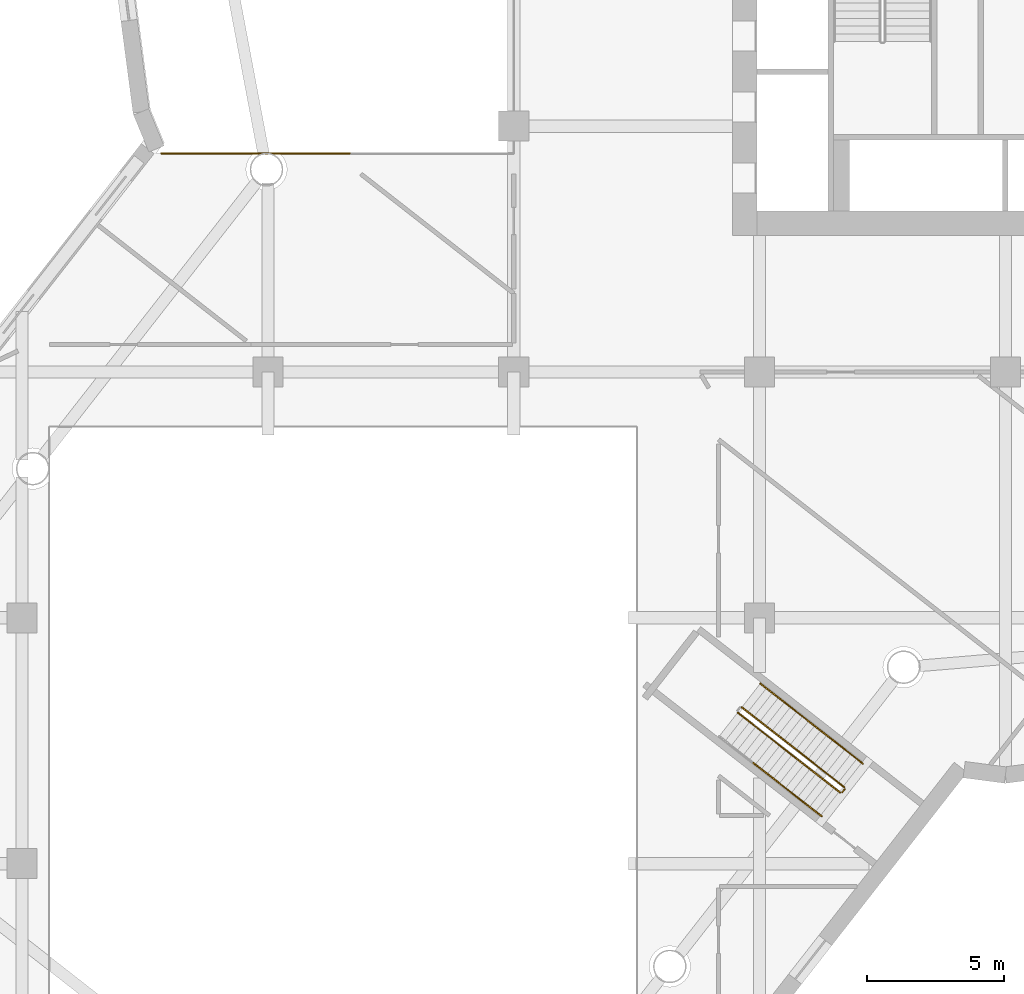
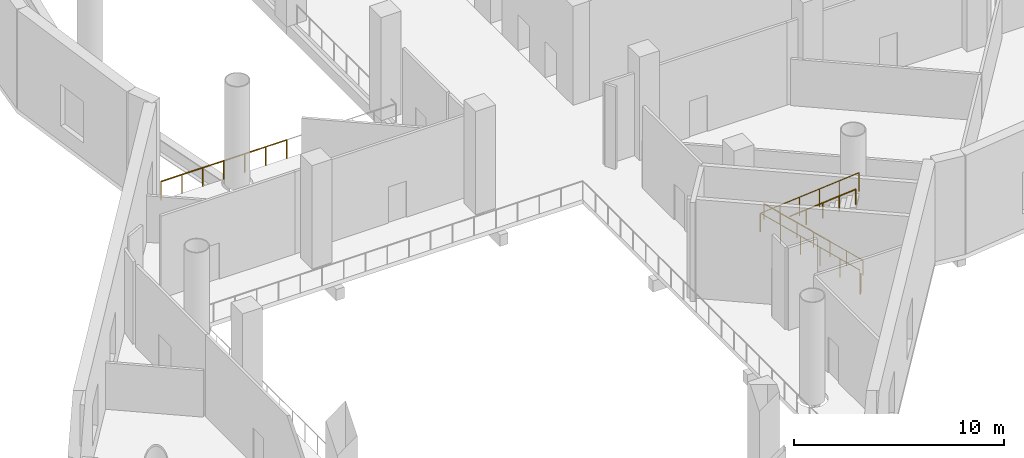
# One storey, part 20 of 24: 9 railings.
"""IFC4 building model written with IfcOpenShell, lengths in metres."""

import ifcopenshell
import ifcopenshell.guid

model = None  # the IFC model being written
_history = None  # IfcOwnerHistory: only IFC2X3 demands one
_inside = {}  # id of a spatial element -> (the spatial element, [elements in it])
_under = {}  # id of a project, library or spatial element -> (it, [spatial elements below it])
_declared = {}  # id of a project -> (the project, [libraries it declares])
_typed = {}  # id of a type object -> (the type object, [elements of that type])
_made_of = {}  # id of a material, layer set ... -> (it, [elements and type objects made of it])


def new_model(schema):
    """Start an empty IFC model of exactly this schema.

    Asked for "IFC4X3", IfcOpenShell would pick the latest addendum, in which some entities
    have other attributes; the version numbers below select the first issue.
    IFC2X3 requires an IfcOwnerHistory on every rooted entity: one is made here for all.
    """
    global model, _history
    if schema == "IFC4X3":
        model = ifcopenshell.file(schema_version=(4, 3, 0, 0))
    else:
        model = ifcopenshell.file(schema=schema)
    _inside.clear()
    _under.clear()
    _declared.clear()
    _typed.clear()
    _made_of.clear()
    _history = None
    if model.schema == "IFC2X3":
        org = make("IfcOrganization", Name="unknown")
        user = make(
            "IfcPersonAndOrganization",
            ThePerson=make("IfcPerson", FamilyName="unknown"),
            TheOrganization=org,
        )
        app = make(
            "IfcApplication",
            ApplicationDeveloper=org,
            Version="unknown",
            ApplicationFullName="unknown",
            ApplicationIdentifier="unknown",
        )
        _history = make(
            "IfcOwnerHistory",
            OwningUser=user,
            OwningApplication=app,
            ChangeAction="ADDED",
            CreationDate=0,
        )
    return model


def make(cls, **values):
    """One entity of the class cls with the attributes given. An attribute that is None is left unset."""
    return model.create_entity(
        cls, **{name: value for name, value in values.items() if value is not None}
    )


def rooted(cls, **values):
    """An entity with a GlobalId (a new one), such as an element, a storey or a relation."""
    return make(cls, GlobalId=ifcopenshell.guid.new(), OwnerHistory=_history, **values)


def si_unit(unit_type, name, prefix=None):
    """IfcSIUnit, for example si_unit("LENGTHUNIT", "METRE", prefix="MILLI")."""
    return make("IfcSIUnit", UnitType=unit_type, Prefix=prefix, Name=name)


def assignment(units):
    """IfcUnitAssignment: the units of a project."""
    return None if units is None else make("IfcUnitAssignment", Units=units)


def point(xyz):
    """IfcCartesianPoint."""
    return None if xyz is None else make("IfcCartesianPoint", Coordinates=xyz)


def direction(xyz):
    """IfcDirection."""
    return None if xyz is None else make("IfcDirection", DirectionRatios=xyz)


def frame(location, z_axis=None, x_axis=None):
    """IfcAxis2Placement3D, a coordinate frame: its origin and axes. An axis left out is left unset."""
    return make(
        "IfcAxis2Placement3D",
        Location=point(location),
        Axis=direction(z_axis),
        RefDirection=direction(x_axis),
    )


def frame_2d(location, x_axis=None):
    """IfcAxis2Placement2D, a coordinate frame in the plane: its origin and x axis."""
    return make(
        "IfcAxis2Placement2D", Location=point(location), RefDirection=direction(x_axis)
    )


def origin():
    """The frame at (0, 0, 0) with its axes left unset."""
    return frame((0.0, 0.0, 0.0))


def origin_2d():
    """The frame at (0, 0) in the plane with its x axis left unset."""
    return frame_2d((0.0, 0.0))


def place(relative_to, where):
    """IfcLocalPlacement: puts the frame where relative to a parent placement (None: the world)."""
    return make(
        "IfcLocalPlacement", PlacementRelTo=relative_to, RelativePlacement=where
    )


def context(
    kind, dimensions, precision=None, world=None, true_north=None, identifier=None
):
    """IfcGeometricRepresentationContext, for example the 3D "Model" context."""
    return make(
        "IfcGeometricRepresentationContext",
        ContextIdentifier=identifier,
        ContextType=kind,
        CoordinateSpaceDimension=dimensions,
        Precision=precision,
        WorldCoordinateSystem=world,
        TrueNorth=true_north,
    )


def subcontext(parent, identifier, kind, view, scale=None):
    """IfcGeometricRepresentationSubContext, for example "Body" below "Model"."""
    return make(
        "IfcGeometricRepresentationSubContext",
        ContextIdentifier=identifier,
        ContextType=kind,
        ParentContext=parent,
        TargetScale=scale,
        TargetView=view,
    )


def project(units=None, contexts=None):
    """IfcProject with its units and contexts."""
    return rooted(
        "IfcProject",
        Name="project",
        RepresentationContexts=contexts,
        UnitsInContext=assignment(units),
    )


def spatial(cls, under=None, at=None, **own):
    """A site, building, storey or space (cls), placed at a placement, below another one or the project."""
    s = rooted(cls, ObjectPlacement=at, **own)
    if under is not None:
        _under.setdefault(under.id(), (under, []))[1].append(s)
    return s


def profile(cls, at=None, kind="AREA", **sizes):
    """A parametric profile (cls). Its sizes go by their IFC names, for example OverallWidth=200.0."""
    return make(cls, ProfileType=kind, Position=at, **sizes)


def circle(**sizes):
    """IfcCircleProfileDef."""
    return profile("IfcCircleProfileDef", **sizes)


def extrude(swept, where, along, depth):
    """IfcExtrudedAreaSolid: the profile swept, set in the frame where, extruded along a direction by depth."""
    return make(
        "IfcExtrudedAreaSolid",
        SweptArea=swept,
        Position=where,
        ExtrudedDirection=direction(along),
        Depth=depth,
    )


def shape(context_of_items, identifier, shape_type, items):
    """IfcShapeRepresentation: the items that make up one representation, for example the "Body"."""
    return make(
        "IfcShapeRepresentation",
        ContextOfItems=context_of_items,
        RepresentationIdentifier=identifier,
        RepresentationType=shape_type,
        Items=items,
    )


def material(Name=None, Category=None):
    """IfcMaterial."""
    return make("IfcMaterial", Name=Name, Category=Category)


def made_of(thing, what):
    """Note that an element or type object is made of a material, layer set ...; save() writes the relation."""
    if what is not None:
        _made_of.setdefault(what.id(), (what, []))[1].append(thing)
    return thing


def type_object(cls, material=None, **own):
    """A type object (cls), such as IfcWallType, which elements share."""
    return made_of(rooted(cls, **own), material)


def element(
    cls,
    number,
    at=None,
    inside=None,
    cuts=None,
    type_object=None,
    material=None,
    context=None,
    identifier="Body",
    shape_type=None,
    held_by="IfcProductDefinitionShape",
    body=None,
    shapes=None,
    **own,
):
    """One element of the class cls, such as IfcWall. Its Tag is "e" and its number.

    at: its placement. inside: the storey or other place that contains it. cuts: it is an
    opening in that element (IfcRelVoidsElement). A single representation is given by context,
    identifier, shape_type and body (its items); several are given by shapes. held_by: the class
    of the entity that holds the representations. save() writes the other relations.
    """
    e = rooted(cls, Tag="e%d" % number, ObjectPlacement=at, **own)
    if body is not None:
        shapes = [shape(context, identifier, shape_type, body)]
    if shapes is not None:
        e.Representation = make(held_by, Representations=shapes)
    if inside is not None:
        _inside.setdefault(inside.id(), (inside, []))[1].append(e)
    if cuts is not None:
        rooted(
            "IfcRelVoidsElement", RelatingBuildingElement=cuts, RelatedOpeningElement=e
        )
    if type_object is not None:
        _typed.setdefault(type_object.id(), (type_object, []))[1].append(e)
    return made_of(e, material)


def aggregate(whole, parts):
    """IfcRelAggregates: a whole, such as a stair, and the parts it consists of."""
    return rooted("IfcRelAggregates", RelatingObject=whole, RelatedObjects=parts)


def save(model, path):
    """Write the relations noted so far, then the file.

    IfcRelAggregates (storeys below a building ...), IfcRelContainedInSpatialStructure (elements
    in a storey), IfcRelDefinesByType, IfcRelAssociatesMaterial and IfcRelDeclares: one each for
    every whole, place, type object, material and project.
    """
    for whole, parts in _under.values():
        aggregate(whole, parts)
    for where, things in _inside.values():
        rooted(
            "IfcRelContainedInSpatialStructure",
            RelatedElements=things,
            RelatingStructure=where,
        )
    for kind, things in _typed.values():
        rooted("IfcRelDefinesByType", RelatedObjects=things, RelatingType=kind)
    for what, things in _made_of.values():
        rooted("IfcRelAssociatesMaterial", RelatedObjects=things, RelatingMaterial=what)
    for by, libraries in _declared.values():
        rooted("IfcRelDeclares", RelatingContext=by, RelatedDefinitions=libraries)
    model.write(path)


model = new_model("IFC4")

# Units and contexts
model_context = context("Model", 3, precision=1e-05, world=origin(), true_north=direction((0.0, 1.0)))
body_context = subcontext(model_context, "Body", "Model", "MODEL_VIEW")
ifc_project = project(units=[si_unit("LENGTHUNIT", "METRE"), si_unit("AREAUNIT", "SQUARE_METRE"), si_unit("VOLUMEUNIT", "CUBIC_METRE"), si_unit("PLANEANGLEUNIT", "RADIAN"), si_unit("MASSUNIT", "GRAM", prefix="KILO")], contexts=[model_context])

# Site, building, storey
site_placement = place(None, origin())
site = spatial("IfcSite", under=ifc_project, at=site_placement, CompositionType="ELEMENT")
building_placement = place(site_placement, origin())
building = spatial("IfcBuilding", under=site, at=building_placement, Name="Tarsis Ring Headquarters", CompositionType="ELEMENT")
storey_placement = place(building_placement, frame((0.0, 0.0, 8.0)))
storey = spatial("IfcBuildingStorey", under=building, at=storey_placement, Name="L01", CompositionType="ELEMENT", Elevation=8.0)

# Railings
ifc_material = material(Name="Stainless steel", Category="steel")
railing_type_1 = type_object("IfcRailingType", Name="PO-RL-G", PredefinedType="GUARDRAIL", material=ifc_material)
railing_1_placement = place(storey_placement, frame((-5.8955078125, -33.202392578125, 0.166748046875)))
element("IfcRailing", 1, at=railing_1_placement, inside=storey, type_object=railing_type_1, Name="L01 PS2 stair guard 1", PredefinedType="GUARDRAIL", context=body_context, shape_type="SweptSolid", body=[
    extrude(circle(Radius=0.02392578125, at=origin_2d()), frame((0.0, 0.0, 1.076171875), z_axis=(-0.677363890501, 0.528748428287, 0.511471660437), x_axis=(-0.615324495023, -0.788273915479, 0.0)), (0.0, 0.0, 1.0), 5.539306640625),
    extrude(circle(Radius=0.02099609375, at=origin_2d()), origin(), (0.0, 0.0, 1.0), 1.052001953125),
    extrude(circle(Radius=0.02099609375, at=origin_2d()), frame((-0.75048828125, 0.585693359375, 0.566650390625)), (0.0, 0.0, 1.0), 1.052001953125),
    extrude(circle(Radius=0.02099609375, at=origin_2d()), frame((-1.5009765625, 1.171630859375, 1.13330078125)), (0.0, 0.0, 1.0), 1.052001953125),
    extrude(circle(Radius=0.02099609375, at=origin_2d()), frame((-2.251220703125, 1.75732421875, 1.699951171875)), (0.0, 0.0, 1.0), 1.052001953125),
    extrude(circle(Radius=0.02099609375, at=origin_2d()), frame((-3.001708984375, 2.34326171875, 2.2666015625)), (0.0, 0.0, 1.0), 1.052001953125),
    extrude(circle(Radius=0.02099609375, at=origin_2d()), frame((-3.752197265625, 2.928955078125, 2.833251953125)), (0.0, 0.0, 1.0), 1.052001953125),
])
railing_2_placement = place(storey_placement, frame((-9.801513671875, -30.470458984375, 3.166748046875)))
element("IfcRailing", 2, at=railing_2_placement, inside=storey, type_object=railing_type_1, Name="L01 PS2 stair guard 3", PredefinedType="GUARDRAIL", context=body_context, shape_type="SweptSolid", body=[
    extrude(circle(Radius=0.02392578125, at=origin_2d()), frame((0.0, 0.0, 1.076171875), z_axis=(0.677363890501, -0.528748428287, 0.511471660437), x_axis=(0.615324495023, 0.788273915479, 0.0)), (0.0, 0.0, 1.0), 5.539306640625),
    extrude(circle(Radius=0.02099609375, at=origin_2d()), origin(), (0.0, 0.0, 1.0), 1.052001953125),
    extrude(circle(Radius=0.02099609375, at=origin_2d()), frame((0.75048828125, -0.585693359375, 0.566650390625)), (0.0, 0.0, 1.0), 1.052001953125),
    extrude(circle(Radius=0.02099609375, at=origin_2d()), frame((1.5009765625, -1.171630859375, 1.13330078125)), (0.0, 0.0, 1.0), 1.052001953125),
    extrude(circle(Radius=0.02099609375, at=origin_2d()), frame((2.251220703125, -1.75732421875, 1.699951171875)), (0.0, 0.0, 1.0), 1.052001953125),
    extrude(circle(Radius=0.02099609375, at=origin_2d()), frame((3.001708984375, -2.34326171875, 2.2666015625)), (0.0, 0.0, 1.0), 1.052001953125),
    extrude(circle(Radius=0.02099609375, at=origin_2d()), frame((3.752197265625, -2.928955078125, 2.833251953125)), (0.0, 0.0, 1.0), 1.052001953125),
])
railing_3_placement = place(storey_placement, frame((-5.886962890625, -33.272705078125, 0.0)))
element("IfcRailing", 3, at=railing_3_placement, inside=storey, type_object=railing_type_1, Name="L01 PS2 stair guard 4", PredefinedType="GUARDRAIL", context=body_context, shape_type="SweptSolid", body=[
    extrude(circle(Radius=0.02392578125, at=origin_2d()), frame((0.0, 0.0, 1.076171875), z_axis=(-0.615517636689, -0.788123111528, 0.0), x_axis=(0.788123111528, -0.615517636689, 0.0)), (0.0, 0.0, 1.0), 0.14990234375),
    extrude(circle(Radius=0.02099609375, at=origin_2d()), origin(), (0.0, 0.0, 1.0), 1.052001953125),
    extrude(circle(Radius=0.02099609375, at=origin_2d()), frame((-0.09228515625, -0.1181640625, 0.0)), (0.0, 0.0, 1.0), 1.052001953125),
])
railing_4_placement = place(storey_placement, frame((-30.908935546875, -10.0, 0.0)))
element("IfcRailing", 4, at=railing_4_placement, inside=storey, type_object=railing_type_1, Name="L01 void guard 4", PredefinedType="GUARDRAIL", context=body_context, shape_type="SweptSolid", body=[
    extrude(circle(Radius=0.02392578125, at=origin_2d()), frame((0.0, 0.0, 1.076171875), z_axis=(1.0, 0.0, 0.0), x_axis=(0.0, 1.0, 0.0)), (0.0, 0.0, 1.0), 6.908935546875),
    extrude(circle(Radius=0.02099609375, at=origin_2d()), origin(), (0.0, 0.0, 1.0), 1.052001953125),
    extrude(circle(Radius=0.02099609375, at=origin_2d()), frame((1.1513671875, 0.0, 0.0)), (0.0, 0.0, 1.0), 1.052001953125),
    extrude(circle(Radius=0.02099609375, at=origin_2d()), frame((2.302978515625, 0.0, 0.0)), (0.0, 0.0, 1.0), 1.052001953125),
    extrude(circle(Radius=0.02099609375, at=origin_2d()), frame((3.45458984375, 0.0, 0.0)), (0.0, 0.0, 1.0), 1.052001953125),
    extrude(circle(Radius=0.02099609375, at=origin_2d()), frame((4.60595703125, 0.0, 0.0)), (0.0, 0.0, 1.0), 1.052001953125),
    extrude(circle(Radius=0.02099609375, at=origin_2d()), frame((5.75732421875, 0.0, 0.0)), (0.0, 0.0, 1.0), 1.052001953125),
    extrude(circle(Radius=0.02099609375, at=origin_2d()), frame((6.908935546875, 0.0, 0.0)), (0.0, 0.0, 1.0), 1.052001953125),
])
railing_type_2 = type_object("IfcRailingType", Name="PO-RL-H", PredefinedType="HANDRAIL", material=ifc_material)
railing_5_placement = place(storey_placement, frame((-5.21875, -32.33544921875, 0.166748046875)))
element("IfcRailing", 5, at=railing_5_placement, inside=storey, type_object=railing_type_2, Name="L01 PS2 stair handrail 1", PredefinedType="HANDRAIL", context=body_context, shape_type="SweptSolid", body=[
    extrude(circle(Radius=0.02392578125, at=origin_2d()), frame((0.0, 0.0, 0.8759765625), z_axis=(-0.677379159691, 0.528760347376, 0.511439115691), x_axis=(-0.615324495023, -0.788273915479, 0.0)), (0.0, 0.0, 1.0), 1.846435546875),
    extrude(circle(Radius=0.02099609375, at=origin_2d()), origin(), (0.0, 0.0, 1.0), 0.851806640625),
    extrude(circle(Radius=0.02099609375, at=origin_2d()), frame((-0.62548828125, 0.48828125, 0.47216796875)), (0.0, 0.0, 1.0), 0.851806640625),
    extrude(circle(Radius=0.02099609375, at=origin_2d()), frame((-1.250732421875, 0.976318359375, 0.9443359375)), (0.0, 0.0, 1.0), 0.851806640625),
])
railing_6_placement = place(storey_placement, frame((-6.469482421875, -31.359130859375, 1.111083984375)))
element("IfcRailing", 6, at=railing_6_placement, inside=storey, type_object=railing_type_2, Name="L01 PS2 stair handrail 1 bay 2", PredefinedType="HANDRAIL", context=body_context, shape_type="SweptSolid", body=[
    extrude(circle(Radius=0.02392578125, at=origin_2d()), frame((0.0, 0.0, 0.8759765625), z_axis=(-0.67733335127, 0.528724589445, 0.511536743327), x_axis=(-0.615324495023, -0.788273915479, 0.0)), (0.0, 0.0, 1.0), 1.846435546875),
    extrude(circle(Radius=0.02099609375, at=origin_2d()), frame((-0.62548828125, 0.48828125, 0.47216796875)), (0.0, 0.0, 1.0), 0.851806640625),
    extrude(circle(Radius=0.02099609375, at=origin_2d()), frame((-1.250732421875, 0.976318359375, 0.944580078125)), (0.0, 0.0, 1.0), 0.851806640625),
])
railing_7_placement = place(storey_placement, frame((-7.72021484375, -30.3828125, 2.0556640625)))
element("IfcRailing", 7, at=railing_7_placement, inside=storey, type_object=railing_type_2, Name="L01 PS2 stair handrail 1 bay 3", PredefinedType="HANDRAIL", context=body_context, shape_type="SweptSolid", body=[
    extrude(circle(Radius=0.02392578125, at=origin_2d()), frame((0.0, 0.0, 0.8759765625), z_axis=(-0.677379159691, 0.528760347376, 0.511439115691), x_axis=(-0.615324495023, -0.788273915479, 0.0)), (0.0, 0.0, 1.0), 1.846435546875),
    extrude(circle(Radius=0.02099609375, at=origin_2d()), frame((-0.62548828125, 0.48828125, 0.47216796875)), (0.0, 0.0, 1.0), 0.851806640625),
    extrude(circle(Radius=0.02099609375, at=origin_2d()), frame((-1.250732421875, 0.976318359375, 0.9443359375)), (0.0, 0.0, 1.0), 0.851806640625),
])
railing_8_placement = place(storey_placement, frame((-9.227783203125, -32.31396484375, 4.111083984375)))
element("IfcRailing", 8, at=railing_8_placement, inside=storey, type_object=railing_type_2, Name="L01 PS2 stair handrail 2 bay 2", PredefinedType="HANDRAIL", context=body_context, shape_type="SweptSolid", body=[
    extrude(circle(Radius=0.02392578125, at=origin_2d()), frame((0.0, 0.0, 0.8759765625), z_axis=(0.67733335127, -0.528724589445, 0.511536743327), x_axis=(0.615324495023, 0.788273915479, 0.0)), (0.0, 0.0, 1.0), 1.846435546875),
    extrude(circle(Radius=0.02099609375, at=origin_2d()), frame((0.62548828125, -0.48828125, 0.47216796875)), (0.0, 0.0, 1.0), 0.851806640625),
    extrude(circle(Radius=0.02099609375, at=origin_2d()), frame((1.250732421875, -0.976318359375, 0.944580078125)), (0.0, 0.0, 1.0), 0.851806640625),
])
railing_9_placement = place(storey_placement, frame((-7.97705078125, -33.290283203125, 5.0556640625)))
element("IfcRailing", 9, at=railing_9_placement, inside=storey, type_object=railing_type_2, Name="L01 PS2 stair handrail 2 bay 3", PredefinedType="HANDRAIL", context=body_context, shape_type="SweptSolid", body=[
    extrude(circle(Radius=0.02392578125, at=origin_2d()), frame((0.0, 0.0, 0.8759765625), z_axis=(0.677379159691, -0.528760347376, 0.511439115691), x_axis=(0.615324495023, 0.788273915479, 0.0)), (0.0, 0.0, 1.0), 1.846435546875),
    extrude(circle(Radius=0.02099609375, at=origin_2d()), frame((0.62548828125, -0.48828125, 0.47216796875)), (0.0, 0.0, 1.0), 0.851806640625),
    extrude(circle(Radius=0.02099609375, at=origin_2d()), frame((1.250732421875, -0.976318359375, 0.9443359375)), (0.0, 0.0, 1.0), 0.851806640625),
])

save(model, "model.ifc")
